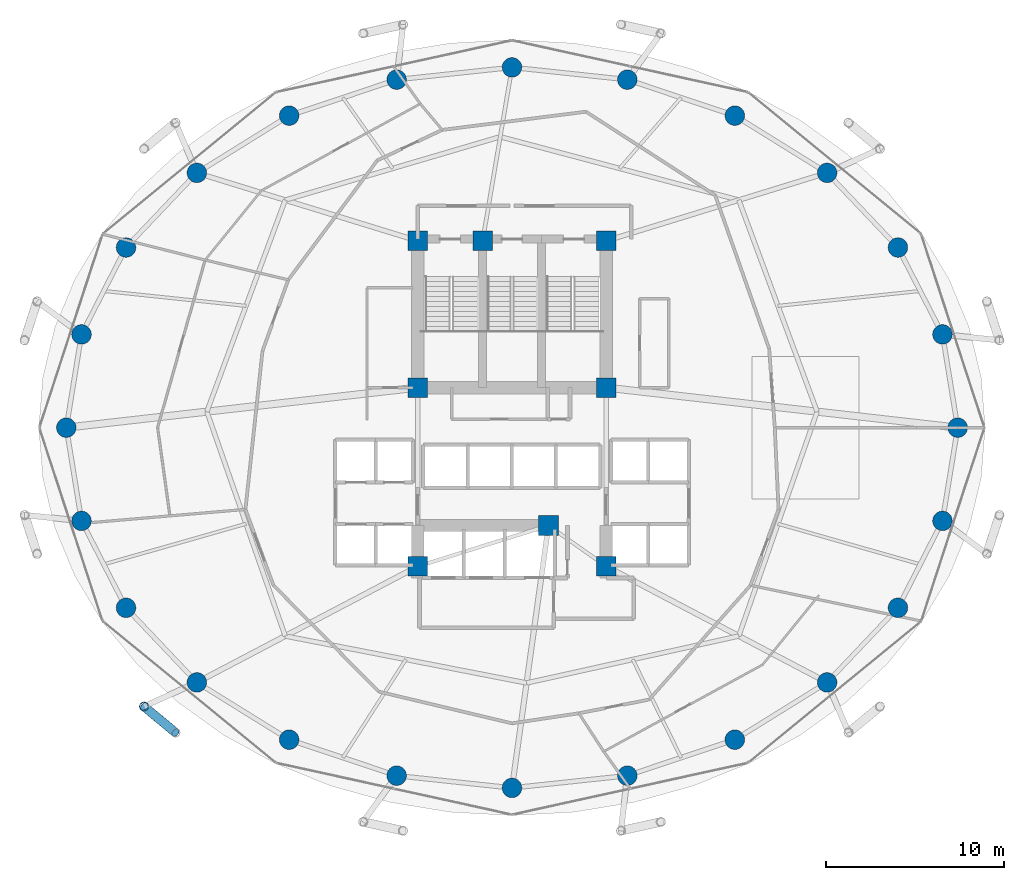
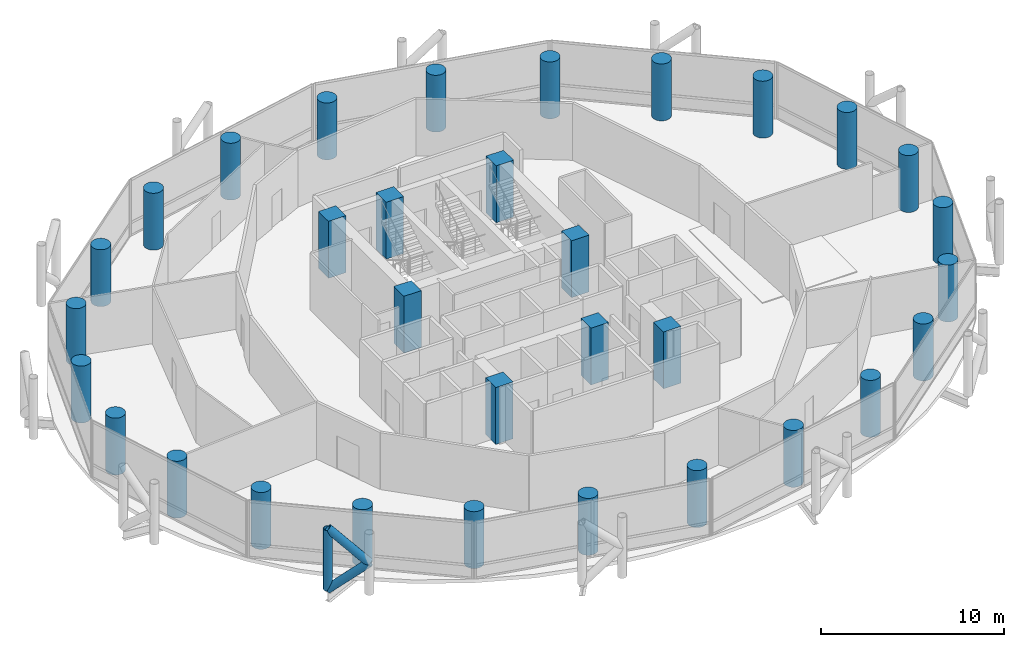
# One storey, part 1 of 24: 32 columns, 3 members.
"""IFC4 building model written with IfcOpenShell, lengths in metres."""

from ifc_helpers import new_model, si_unit, direction, frame, origin, origin_2d, place, context, subcontext, project, spatial, rectangle, circle, hollow_circle, extrude, material, material_profile, profile_set, type_object, element, save


model = new_model("IFC4")

# Units and contexts
model_context = context("Model", 3, precision=1e-05, world=origin(), true_north=direction((0.0, 1.0)))
body_context = subcontext(model_context, "Body", "Model", "MODEL_VIEW")
ifc_project = project(units=[si_unit("LENGTHUNIT", "METRE"), si_unit("AREAUNIT", "SQUARE_METRE"), si_unit("VOLUMEUNIT", "CUBIC_METRE"), si_unit("PLANEANGLEUNIT", "RADIAN"), si_unit("MASSUNIT", "GRAM", prefix="KILO")], contexts=[model_context])

# Site, building, storey
site_placement = place(None, origin())
site = spatial("IfcSite", under=ifc_project, at=site_placement, CompositionType="ELEMENT")
building_placement = place(site_placement, origin())
building = spatial("IfcBuilding", under=site, at=building_placement, Name="Nuhasar Tower", CompositionType="ELEMENT")
storey_placement = place(building_placement, frame((0.0, 0.0, 85.800048828125)))
storey = spatial("IfcBuildingStorey", under=building, at=storey_placement, Name="L20", CompositionType="ELEMENT", Elevation=85.800048828125)

# Columns
ifc_material_1 = material(Name="Concrete C80/95", Category="concrete")
ifc_material_profile_1 = material_profile(ifc_material_1, circle(Radius=0.550048828125, at=origin_2d()), Name="CFT1100")
ifc_profile_set_1 = profile_set([ifc_material_profile_1], Name="Concrete C80/95")
column_type_1 = type_object("IfcColumnType", Name="COL-CFT-1100", PredefinedType="COLUMN", material=ifc_profile_set_1)
for number, where, z_axis, x_axis, name in (
    (1, (64.050048828125, 26.800048828125, 0.0), (0.0, 0.0, 1.0), (1.0, 0.0, 0.0), "L20 Perimeter Composite Column TC-01"),
    (2, (63.196044921875, 32.041015625, 0.0), (0.0, 0.0, 1.0), (1.0, 0.0, 0.0), "L20 Perimeter Composite Column TC-02"),
    (3, (60.694091796875, 36.925048828125, 0.0), (0.0, 0.0, 1.0), (1.0, 0.0, 0.0), "L20 Perimeter Composite Column TC-03"),
    (4, (56.712890625, 41.118896484375, 0.0), (0.0, 0.0, 1.0), (1.0, 0.0, 0.0), "L20 Perimeter Composite Column TC-04"),
    (5, (51.52490234375, 44.3369140625, 0.0), (0.0, 0.0, 1.0), (1.0, 0.0, 0.0), "L20 Perimeter Composite Column TC-05"),
    (6, (45.48291015625, 46.360107421875, 0.0), (0.0, 0.0, 1.0), (1.0, 0.0, 0.0), "L20 Perimeter Composite Column TC-06"),
    (7, (39.0, 47.050048828125, 0.0), (0.0, 0.0, 1.0), (1.0, 0.0, 0.0), "L20 Perimeter Composite Column TC-07"),
    (8, (32.51708984375, 46.360107421875, 0.0), (0.0, 0.0, 1.0), (1.0, 0.0, 0.0), "L20 Perimeter Composite Column TC-08"),
    (9, (26.47509765625, 44.3369140625, 0.0), (0.0, 0.0, 1.0), (1.0, 0.0, 0.0), "L20 Perimeter Composite Column TC-09"),
    (10, (21.287109375, 41.118896484375, 0.0), (0.0, 0.0, 1.0), (1.0, 0.0, 0.0), "L20 Perimeter Composite Column TC-10"),
    (11, (17.305908203125, 36.925048828125, 0.0), (0.0, 0.0, 1.0), (1.0, 0.0, 0.0), "L20 Perimeter Composite Column TC-11"),
    (12, (14.803955078125, 32.041015625, 0.0), (0.0, 0.0, 1.0), (1.0, 0.0, 0.0), "L20 Perimeter Composite Column TC-12"),
    (13, (13.949951171875, 26.800048828125, 0.0), (0.0, 0.0, 1.0), (1.0, 0.0, 0.0), "L20 Perimeter Composite Column TC-13"),
    (14, (14.803955078125, 21.55908203125, 0.0), (0.0, 0.0, 1.0), (1.0, 0.0, 0.0), "L20 Perimeter Composite Column TC-14"),
    (15, (17.305908203125, 16.675048828125, 0.0), (0.0, 0.0, 1.0), (1.0, 0.0, 0.0), "L20 Perimeter Composite Column TC-15"),
    (16, (21.287109375, 12.48095703125, 0.0), (0.0, 0.0, 1.0), (1.0, 0.0, 0.0), "L20 Perimeter Composite Column TC-16"),
    (17, (26.47509765625, 9.262939453125, 0.0), (0.0, 0.0, 1.0), (1.0, 0.0, 0.0), "L20 Perimeter Composite Column TC-17"),
    (18, (32.51708984375, 7.239990234375, 0.0), (0.0, 0.0, 1.0), (1.0, 0.0, 0.0), "L20 Perimeter Composite Column TC-18"),
    (19, (39.0, 6.550048828125, 0.0), (0.0, 0.0, 1.0), (1.0, 0.0, 0.0), "L20 Perimeter Composite Column TC-19"),
    (20, (45.48291015625, 7.239990234375, 0.0), (0.0, 0.0, 1.0), (1.0, 0.0, 0.0), "L20 Perimeter Composite Column TC-20"),
    (21, (51.52490234375, 9.262939453125, 0.0), (0.0, 0.0, 1.0), (1.0, 0.0, 0.0), "L20 Perimeter Composite Column TC-21"),
    (22, (56.712890625, 12.48095703125, 0.0), (0.0, 0.0, 1.0), (1.0, 0.0, 0.0), "L20 Perimeter Composite Column TC-22"),
    (23, (60.694091796875, 16.675048828125, 0.0), (0.0, 0.0, 1.0), (1.0, 0.0, 0.0), "L20 Perimeter Composite Column TC-23"),
    (24, (63.196044921875, 21.55908203125, 0.0), (0.0, 0.0, 1.0), (1.0, 0.0, 0.0), "L20 Perimeter Composite Column TC-24"),
):
    element("IfcColumn", number, at=place(storey_placement, frame(where, z_axis=z_axis, x_axis=x_axis)), inside=storey, type_object=column_type_1, Name=name, PredefinedType="COLUMN", context=body_context, shape_type="SweptSolid", body=[
        extrude(circle(Radius=0.550048828125, at=origin_2d()), origin(), (0.0, 0.0, 1.0), 3.800048828125),
    ])
ifc_material_profile_2 = material_profile(ifc_material_1, rectangle(XDim=1.10009765625, YDim=1.10009765625, at=origin_2d()), Name="RC1100X1100")
ifc_profile_set_2 = profile_set([ifc_material_profile_2], Name="Concrete C80/95")
column_type_2 = type_object("IfcColumnType", Name="PIL-RC-1100", PredefinedType="PILASTER", material=ifc_profile_set_2)
for number, where, z_axis, x_axis, name in (
    (25, (33.699951171875, 19.0, 0.0), (0.0, 0.0, 1.0), (1.0, 0.0, 0.0), "L20 Core Boundary Pilaster CC-01"),
    (26, (41.050048828125, 21.300048828125, 0.0), (0.0, 0.0, 1.0), (1.0, 0.0, 0.0), "L20 Core Boundary Pilaster CC-02"),
    (27, (44.300048828125, 19.0, 0.0), (0.0, 0.0, 1.0), (1.0, 0.0, 0.0), "L20 Core Boundary Pilaster CC-03"),
    (28, (44.300048828125, 29.050048828125, 0.0), (0.0, 0.0, 1.0), (1.0, 0.0, 0.0), "L20 Core Boundary Pilaster CC-04"),
    (29, (44.300048828125, 37.300048828125, 0.0), (0.0, 0.0, 1.0), (1.0, 0.0, 0.0), "L20 Core Boundary Pilaster CC-05"),
    (30, (37.35009765625, 37.300048828125, 0.0), (0.0, 0.0, 1.0), (1.0, 0.0, 0.0), "L20 Core Boundary Pilaster CC-06"),
    (31, (33.699951171875, 37.300048828125, 0.0), (0.0, 0.0, 1.0), (1.0, 0.0, 0.0), "L20 Core Boundary Pilaster CC-07"),
    (32, (33.699951171875, 29.050048828125, 0.0), (0.0, 0.0, 1.0), (1.0, 0.0, 0.0), "L20 Core Boundary Pilaster CC-08"),
):
    element("IfcColumn", number, at=place(storey_placement, frame(where, z_axis=z_axis, x_axis=x_axis)), inside=storey, type_object=column_type_2, Name=name, PredefinedType="PILASTER", context=body_context, shape_type="SweptSolid", body=[
        extrude(rectangle(XDim=1.10009765625, YDim=1.10009765625, at=origin_2d()), origin(), (0.0, 0.0, 1.0), 3.800048828125),
    ])

# Members
ifc_material_2 = material(Name="Steel S460", Category="steel")
ifc_material_profile_3 = material_profile(ifc_material_2, hollow_circle(Radius=0.25390625, WallThickness=0.025390625, at=origin_2d()), Name="HSS508X25.4")
ifc_profile_set_3 = profile_set([ifc_material_profile_3], Name="Steel S460")
member_type = type_object("IfcMemberType", Name="EXO-BRONZE-508", PredefinedType="BRACE", material=ifc_profile_set_3)
member_1_placement = place(storey_placement, frame((18.31494140625, 11.12890625, 0.0), z_axis=(0.0, 0.0, 1.0), x_axis=(1.0, 0.0, 0.0)))
element("IfcMember", 33, at=member_1_placement, inside=storey, type_object=member_type, Name="L20 Exoskeleton Chord Column EC-08A", PredefinedType="BRACE", context=body_context, shape_type="SweptSolid", body=[
    extrude(hollow_circle(Radius=0.25390625, WallThickness=0.025390625, at=origin_2d()), origin(), (0.0, 0.0, 1.0), 4.050048828125),
])
member_2_placement = place(storey_placement, frame((18.31494140625, 11.12890625, 0.0), z_axis=(0.578101613167, -0.478937034992, 0.660619286251), x_axis=(0.637969333506, 0.770061769929, 0.0)))
element("IfcMember", 34, at=member_2_placement, inside=storey, type_object=member_type, Name="L20 Bronze Diagrid Brace W1-08", PredefinedType="BRACE", context=body_context, shape_type="SweptSolid", body=[
    extrude(hollow_circle(Radius=0.25390625, WallThickness=0.025390625, at=origin_2d()), origin(), (0.0, 0.0, 1.0), 3.065185546875),
])
member_3_placement = place(storey_placement, frame((20.0869140625, 9.660888671875, 2.02490234375), z_axis=(-0.578071194894, 0.478911834514, 0.660664172175), x_axis=(-0.637969333506, -0.770061769929, 0.0)))
element("IfcMember", 35, at=member_3_placement, inside=storey, type_object=member_type, Name="L20 Bronze Diagrid Brace W2-08", PredefinedType="BRACE", context=body_context, shape_type="SweptSolid", body=[
    extrude(hollow_circle(Radius=0.25390625, WallThickness=0.025390625, at=origin_2d()), origin(), (0.0, 0.0, 1.0), 3.0654296875),
])

save(model, "model.ifc")
